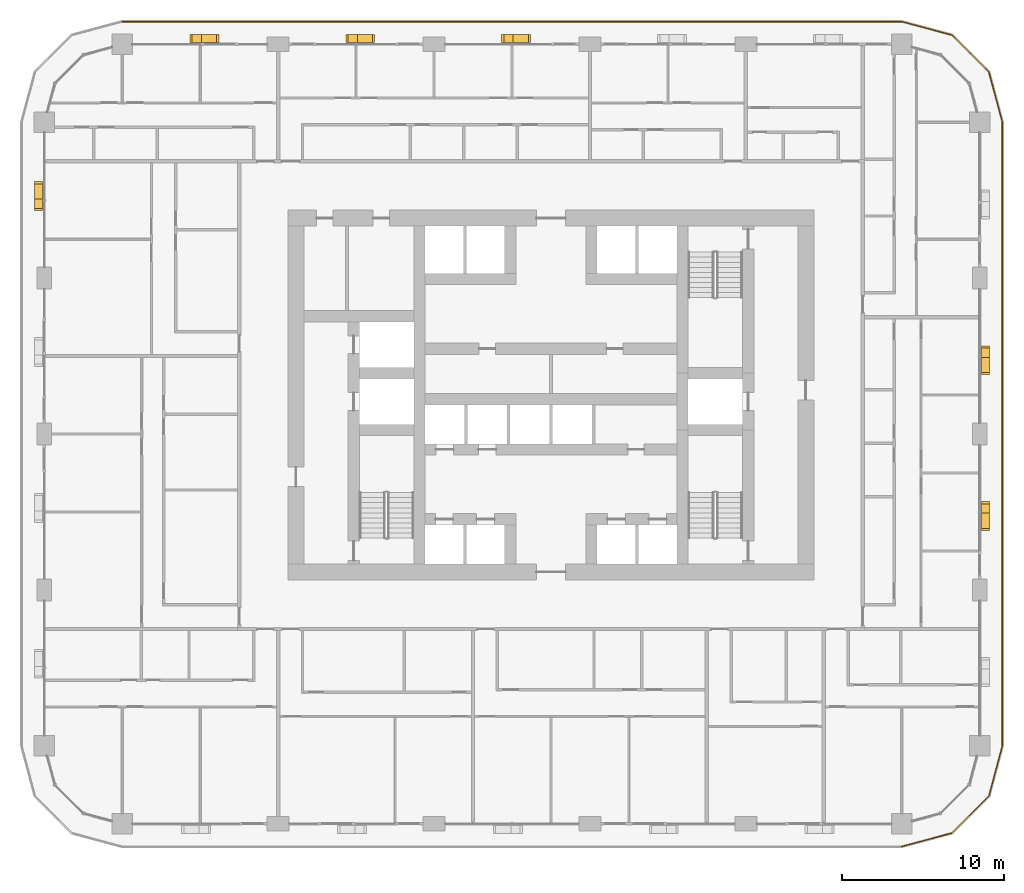
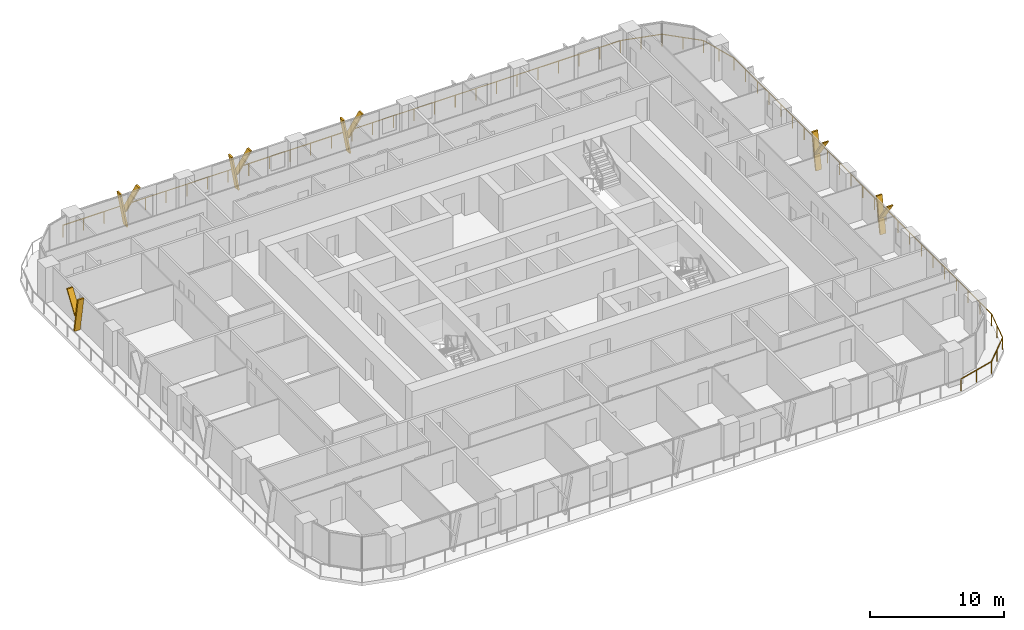
# One storey, part 20 of 21: 12 shading devices, 1 railing.
"""IFC4 building model written with IfcOpenShell, lengths in metres."""

from ifc_helpers import new_model, si_unit, direction, frame, origin, origin_2d, place, context, subcontext, project, spatial, polyline, circle, outline, extrude, material, type_object, element, save


model = new_model("IFC4")

# Units and contexts
model_context = context("Model", 3, precision=1e-05, world=origin(), true_north=direction((0.0, 1.0)))
body_context = subcontext(model_context, "Body", "Model", "MODEL_VIEW")
ifc_project = project(units=[si_unit("LENGTHUNIT", "METRE"), si_unit("AREAUNIT", "SQUARE_METRE"), si_unit("VOLUMEUNIT", "CUBIC_METRE"), si_unit("PLANEANGLEUNIT", "RADIAN"), si_unit("MASSUNIT", "GRAM", prefix="KILO")], contexts=[model_context])

# Site, building, storey
site_placement = place(None, origin())
site = spatial("IfcSite", under=ifc_project, at=site_placement, CompositionType="ELEMENT")
building_placement = place(site_placement, origin())
building = spatial("IfcBuilding", under=site, at=building_placement, Name="Madar Terraces", CompositionType="ELEMENT")
storey_placement = place(building_placement, frame((0.0, 0.0, 29.39990234375)))
storey = spatial("IfcBuildingStorey", under=building, at=storey_placement, Name="L06", CompositionType="ELEMENT", Elevation=29.39990234375)

# Railing
ifc_material_1 = material(Name="Glass, safety glazing, with stainless steel posts", Category="steel")
railing_type = type_object("IfcRailingType", Name="Balcony glass guard 1100", PredefinedType="GUARDRAIL", material=ifc_material_1)
railing_placement = place(storey_placement, frame((52.800048828125, -1.39990234375, 0.0)))
element("IfcRailing", 1, at=railing_placement, inside=storey, type_object=railing_type, Name="Balcony guard", PredefinedType="GUARDRAIL", context=body_context, shape_type="SweptSolid", body=[
    extrude(circle(Radius=0.02392578125, at=origin_2d()), frame((0.0, 0.0, 1.076171875), z_axis=(0.965928696102, 0.258808334578, 0.0), x_axis=(-0.258808334578, 0.965928696102, 0.0)), (0.0, 0.0, 1.0), 3.209228515625),
    extrude(circle(Radius=0.02392578125, at=origin_2d()), frame((3.099853515625, 0.83056640625, 1.076171875), z_axis=(0.707144815061, 0.707068745266, 0.0), x_axis=(-0.707068745266, 0.707144815061, 0.0)), (0.0, 0.0, 1.0), 3.20947265625),
    extrude(circle(Radius=0.02392578125, at=origin_2d()), frame((5.369384765625, 3.099853515625, 1.076171875), z_axis=(0.258789317819, 0.9659337912, 0.0), x_axis=(-0.9659337912, 0.258789317819, 0.0)), (0.0, 0.0, 1.0), 3.20947265625),
    extrude(circle(Radius=0.02392578125, at=origin_2d()), frame((6.199951171875, 6.199951171875, 1.076171875), z_axis=(0.0, 1.0, 0.0), x_axis=(-1.0, 0.0, 0.0)), (0.0, 0.0, 1.0), 38.39990234375),
    extrude(circle(Radius=0.02392578125, at=origin_2d()), frame((6.199951171875, 44.599853515625, 1.076171875), z_axis=(-0.258789317819, 0.9659337912, 0.0), x_axis=(-0.9659337912, -0.258789317819, 0.0)), (0.0, 0.0, 1.0), 3.20947265625),
    extrude(circle(Radius=0.02392578125, at=origin_2d()), frame((5.369384765625, 47.699951171875, 1.076171875), z_axis=(-0.707144815061, 0.707068745266, 0.0), x_axis=(-0.707068745266, -0.707144815061, 0.0)), (0.0, 0.0, 1.0), 3.20947265625),
    extrude(circle(Radius=0.02392578125, at=origin_2d()), frame((3.099853515625, 49.96923828125, 1.076171875), z_axis=(-0.965928696102, 0.258808334578, 0.0), x_axis=(-0.258808334578, -0.965928696102, 0.0)), (0.0, 0.0, 1.0), 3.209228515625),
    extrude(circle(Radius=0.02392578125, at=origin_2d()), frame((0.0, 50.7998046875, 1.076171875), z_axis=(-1.0, 0.0, 0.0), x_axis=(0.0, -1.0, 0.0)), (0.0, 0.0, 1.0), 48.0),
    extrude(circle(Radius=0.02099609375, at=origin_2d()), origin(), (0.0, 0.0, 1.0), 1.052001953125),
    extrude(circle(Radius=0.02099609375, at=origin_2d()), frame((1.5498046875, 0.415283203125, 0.0)), (0.0, 0.0, 1.0), 1.052001953125),
    extrude(circle(Radius=0.02099609375, at=origin_2d()), frame((3.099853515625, 0.83056640625, 0.0)), (0.0, 0.0, 1.0), 1.052001953125),
    extrude(circle(Radius=0.02099609375, at=origin_2d()), frame((4.234619140625, 1.96533203125, 0.0)), (0.0, 0.0, 1.0), 1.052001953125),
    extrude(circle(Radius=0.02099609375, at=origin_2d()), frame((5.369384765625, 3.099853515625, 0.0)), (0.0, 0.0, 1.0), 1.052001953125),
    extrude(circle(Radius=0.02099609375, at=origin_2d()), frame((5.78466796875, 4.64990234375, 0.0)), (0.0, 0.0, 1.0), 1.052001953125),
    extrude(circle(Radius=0.02099609375, at=origin_2d()), frame((6.199951171875, 6.199951171875, 0.0)), (0.0, 0.0, 1.0), 1.052001953125),
    extrude(circle(Radius=0.02099609375, at=origin_2d()), frame((6.199951171875, 7.9453125, 0.0)), (0.0, 0.0, 1.0), 1.052001953125),
    extrude(circle(Radius=0.02099609375, at=origin_2d()), frame((6.199951171875, 9.69091796875, 0.0)), (0.0, 0.0, 1.0), 1.052001953125),
    extrude(circle(Radius=0.02099609375, at=origin_2d()), frame((6.199951171875, 11.436279296875, 0.0)), (0.0, 0.0, 1.0), 1.052001953125),
    extrude(circle(Radius=0.02099609375, at=origin_2d()), frame((6.199951171875, 13.181640625, 0.0)), (0.0, 0.0, 1.0), 1.052001953125),
    extrude(circle(Radius=0.02099609375, at=origin_2d()), frame((6.199951171875, 14.92724609375, 0.0)), (0.0, 0.0, 1.0), 1.052001953125),
    extrude(circle(Radius=0.02099609375, at=origin_2d()), frame((6.199951171875, 16.672607421875, 0.0)), (0.0, 0.0, 1.0), 1.052001953125),
    extrude(circle(Radius=0.02099609375, at=origin_2d()), frame((6.199951171875, 18.418212890625, 0.0)), (0.0, 0.0, 1.0), 1.052001953125),
    extrude(circle(Radius=0.02099609375, at=origin_2d()), frame((6.199951171875, 20.16357421875, 0.0)), (0.0, 0.0, 1.0), 1.052001953125),
    extrude(circle(Radius=0.02099609375, at=origin_2d()), frame((6.199951171875, 21.908935546875, 0.0)), (0.0, 0.0, 1.0), 1.052001953125),
    extrude(circle(Radius=0.02099609375, at=origin_2d()), frame((6.199951171875, 23.654541015625, 0.0)), (0.0, 0.0, 1.0), 1.052001953125),
    extrude(circle(Radius=0.02099609375, at=origin_2d()), frame((6.199951171875, 25.39990234375, 0.0)), (0.0, 0.0, 1.0), 1.052001953125),
    extrude(circle(Radius=0.02099609375, at=origin_2d()), frame((6.199951171875, 27.145263671875, 0.0)), (0.0, 0.0, 1.0), 1.052001953125),
    extrude(circle(Radius=0.02099609375, at=origin_2d()), frame((6.199951171875, 28.890869140625, 0.0)), (0.0, 0.0, 1.0), 1.052001953125),
    extrude(circle(Radius=0.02099609375, at=origin_2d()), frame((6.199951171875, 30.63623046875, 0.0)), (0.0, 0.0, 1.0), 1.052001953125),
    extrude(circle(Radius=0.02099609375, at=origin_2d()), frame((6.199951171875, 32.381591796875, 0.0)), (0.0, 0.0, 1.0), 1.052001953125),
    extrude(circle(Radius=0.02099609375, at=origin_2d()), frame((6.199951171875, 34.127197265625, 0.0)), (0.0, 0.0, 1.0), 1.052001953125),
    extrude(circle(Radius=0.02099609375, at=origin_2d()), frame((6.199951171875, 35.87255859375, 0.0)), (0.0, 0.0, 1.0), 1.052001953125),
    extrude(circle(Radius=0.02099609375, at=origin_2d()), frame((6.199951171875, 37.6181640625, 0.0)), (0.0, 0.0, 1.0), 1.052001953125),
    extrude(circle(Radius=0.02099609375, at=origin_2d()), frame((6.199951171875, 39.363525390625, 0.0)), (0.0, 0.0, 1.0), 1.052001953125),
    extrude(circle(Radius=0.02099609375, at=origin_2d()), frame((6.199951171875, 41.10888671875, 0.0)), (0.0, 0.0, 1.0), 1.052001953125),
    extrude(circle(Radius=0.02099609375, at=origin_2d()), frame((6.199951171875, 42.8544921875, 0.0)), (0.0, 0.0, 1.0), 1.052001953125),
    extrude(circle(Radius=0.02099609375, at=origin_2d()), frame((6.199951171875, 44.599853515625, 0.0)), (0.0, 0.0, 1.0), 1.052001953125),
    extrude(circle(Radius=0.02099609375, at=origin_2d()), frame((5.78466796875, 46.14990234375, 0.0)), (0.0, 0.0, 1.0), 1.052001953125),
    extrude(circle(Radius=0.02099609375, at=origin_2d()), frame((5.369384765625, 47.699951171875, 0.0)), (0.0, 0.0, 1.0), 1.052001953125),
    extrude(circle(Radius=0.02099609375, at=origin_2d()), frame((4.234619140625, 48.83447265625, 0.0)), (0.0, 0.0, 1.0), 1.052001953125),
    extrude(circle(Radius=0.02099609375, at=origin_2d()), frame((3.099853515625, 49.96923828125, 0.0)), (0.0, 0.0, 1.0), 1.052001953125),
    extrude(circle(Radius=0.02099609375, at=origin_2d()), frame((1.5498046875, 50.384521484375, 0.0)), (0.0, 0.0, 1.0), 1.052001953125),
    extrude(circle(Radius=0.02099609375, at=origin_2d()), frame((0.0, 50.7998046875, 0.0)), (0.0, 0.0, 1.0), 1.052001953125),
    extrude(circle(Radius=0.02099609375, at=origin_2d()), frame((-1.77783203125, 50.7998046875, 0.0)), (0.0, 0.0, 1.0), 1.052001953125),
    extrude(circle(Radius=0.02099609375, at=origin_2d()), frame((-3.5556640625, 50.7998046875, 0.0)), (0.0, 0.0, 1.0), 1.052001953125),
    extrude(circle(Radius=0.02099609375, at=origin_2d()), frame((-5.333251953125, 50.7998046875, 0.0)), (0.0, 0.0, 1.0), 1.052001953125),
    extrude(circle(Radius=0.02099609375, at=origin_2d()), frame((-7.111083984375, 50.7998046875, 0.0)), (0.0, 0.0, 1.0), 1.052001953125),
    extrude(circle(Radius=0.02099609375, at=origin_2d()), frame((-8.888916015625, 50.7998046875, 0.0)), (0.0, 0.0, 1.0), 1.052001953125),
    extrude(circle(Radius=0.02099609375, at=origin_2d()), frame((-10.666748046875, 50.7998046875, 0.0)), (0.0, 0.0, 1.0), 1.052001953125),
    extrude(circle(Radius=0.02099609375, at=origin_2d()), frame((-12.4443359375, 50.7998046875, 0.0)), (0.0, 0.0, 1.0), 1.052001953125),
    extrude(circle(Radius=0.02099609375, at=origin_2d()), frame((-14.22216796875, 50.7998046875, 0.0)), (0.0, 0.0, 1.0), 1.052001953125),
    extrude(circle(Radius=0.02099609375, at=origin_2d()), frame((-16.0, 50.7998046875, 0.0)), (0.0, 0.0, 1.0), 1.052001953125),
    extrude(circle(Radius=0.02099609375, at=origin_2d()), frame((-17.77783203125, 50.7998046875, 0.0)), (0.0, 0.0, 1.0), 1.052001953125),
    extrude(circle(Radius=0.02099609375, at=origin_2d()), frame((-19.5556640625, 50.7998046875, 0.0)), (0.0, 0.0, 1.0), 1.052001953125),
    extrude(circle(Radius=0.02099609375, at=origin_2d()), frame((-21.333251953125, 50.7998046875, 0.0)), (0.0, 0.0, 1.0), 1.052001953125),
    extrude(circle(Radius=0.02099609375, at=origin_2d()), frame((-23.111083984375, 50.7998046875, 0.0)), (0.0, 0.0, 1.0), 1.052001953125),
    extrude(circle(Radius=0.02099609375, at=origin_2d()), frame((-24.888916015625, 50.7998046875, 0.0)), (0.0, 0.0, 1.0), 1.052001953125),
    extrude(circle(Radius=0.02099609375, at=origin_2d()), frame((-26.666748046875, 50.7998046875, 0.0)), (0.0, 0.0, 1.0), 1.052001953125),
    extrude(circle(Radius=0.02099609375, at=origin_2d()), frame((-28.4443359375, 50.7998046875, 0.0)), (0.0, 0.0, 1.0), 1.052001953125),
    extrude(circle(Radius=0.02099609375, at=origin_2d()), frame((-30.22216796875, 50.7998046875, 0.0)), (0.0, 0.0, 1.0), 1.052001953125),
    extrude(circle(Radius=0.02099609375, at=origin_2d()), frame((-32.0, 50.7998046875, 0.0)), (0.0, 0.0, 1.0), 1.052001953125),
    extrude(circle(Radius=0.02099609375, at=origin_2d()), frame((-33.77783203125, 50.7998046875, 0.0)), (0.0, 0.0, 1.0), 1.052001953125),
    extrude(circle(Radius=0.02099609375, at=origin_2d()), frame((-35.5556640625, 50.7998046875, 0.0)), (0.0, 0.0, 1.0), 1.052001953125),
    extrude(circle(Radius=0.02099609375, at=origin_2d()), frame((-37.333251953125, 50.7998046875, 0.0)), (0.0, 0.0, 1.0), 1.052001953125),
    extrude(circle(Radius=0.02099609375, at=origin_2d()), frame((-39.111083984375, 50.7998046875, 0.0)), (0.0, 0.0, 1.0), 1.052001953125),
    extrude(circle(Radius=0.02099609375, at=origin_2d()), frame((-40.888916015625, 50.7998046875, 0.0)), (0.0, 0.0, 1.0), 1.052001953125),
    extrude(circle(Radius=0.02099609375, at=origin_2d()), frame((-42.666748046875, 50.7998046875, 0.0)), (0.0, 0.0, 1.0), 1.052001953125),
    extrude(circle(Radius=0.02099609375, at=origin_2d()), frame((-44.4443359375, 50.7998046875, 0.0)), (0.0, 0.0, 1.0), 1.052001953125),
    extrude(circle(Radius=0.02099609375, at=origin_2d()), frame((-46.22216796875, 50.7998046875, 0.0)), (0.0, 0.0, 1.0), 1.052001953125),
    extrude(circle(Radius=0.02099609375, at=origin_2d()), frame((-48.0, 50.7998046875, 0.0)), (0.0, 0.0, 1.0), 1.052001953125),
])

# Shading devices
ifc_material_2 = material(Name="Aluminium, black anodised", Category="aluminium")
shading_device_type = type_object("IfcShadingDeviceType", Name="Facade fin blade 140 x 500", PredefinedType="USERDEFINED", material=ifc_material_2)
shading_device_1_placement = place(storey_placement, frame((57.949951171875, 19.1298828125, 0.0), z_axis=(0.0, 0.0, 1.0), x_axis=(0.0, 1.0, 0.0)))
element("IfcShadingDevice", 2, at=shading_device_1_placement, inside=storey, type_object=shading_device_type, Name="FIN L06 E2", ObjectType="FIN", PredefinedType="USERDEFINED", context=body_context, shape_type="SweptSolid", body=[
    extrude(outline(polyline([(0.0, 0.0), (0.14013671875, 0.0), (0.704345703125, 3.2001953125), (0.564208984375, 3.2001953125), (0.0, 0.0)])), frame((0.0, 0.25, 0.0), z_axis=(0.0, -1.0, 0.0), x_axis=(1.0, 0.0, 0.0)), (0.0, 0.0, 1.0), 0.5),
])
shading_device_2_placement = place(storey_placement, frame((57.949951171875, 19.243896484375, 1.440185546875), z_axis=(0.0, 0.0, 1.0), x_axis=(0.0, 1.0, 0.0)))
element("IfcShadingDevice", 3, at=shading_device_2_placement, inside=storey, type_object=shading_device_type, Name="FIN L06 E2 branch", ObjectType="FIN", PredefinedType="USERDEFINED", context=body_context, shape_type="SweptSolid", body=[
    extrude(outline(polyline([(0.0, 0.0), (0.139892578125, 0.0), (-1.049560546875, 1.760009765625), (-1.189697265625, 1.760009765625), (0.0, 0.0)])), frame((0.0, 0.25, 0.0), z_axis=(0.0, -1.0, 0.0), x_axis=(1.0, 0.0, 0.0)), (0.0, 0.0, 1.0), 0.5),
])
shading_device_3_placement = place(storey_placement, frame((57.949951171875, 28.72998046875, 0.0), z_axis=(0.0, 0.0, 1.0), x_axis=(0.0, 1.0, 0.0)))
element("IfcShadingDevice", 4, at=shading_device_3_placement, inside=storey, type_object=shading_device_type, Name="FIN L06 E3", ObjectType="FIN", PredefinedType="USERDEFINED", context=body_context, shape_type="SweptSolid", body=[
    extrude(outline(polyline([(0.0, 0.0), (0.14013671875, 0.0), (0.704345703125, 3.2001953125), (0.564208984375, 3.2001953125), (0.0, 0.0)])), frame((0.0, 0.25, 0.0), z_axis=(0.0, -1.0, 0.0), x_axis=(1.0, 0.0, 0.0)), (0.0, 0.0, 1.0), 0.5),
])
shading_device_4_placement = place(storey_placement, frame((57.949951171875, 28.843994140625, 1.440185546875), z_axis=(0.0, 0.0, 1.0), x_axis=(0.0, 1.0, 0.0)))
element("IfcShadingDevice", 5, at=shading_device_4_placement, inside=storey, type_object=shading_device_type, Name="FIN L06 E3 branch", ObjectType="FIN", PredefinedType="USERDEFINED", context=body_context, shape_type="SweptSolid", body=[
    extrude(outline(polyline([(0.0, 0.0), (0.139892578125, 0.0), (-1.049560546875, 1.760009765625), (-1.189697265625, 1.760009765625), (0.0, 0.0)])), frame((0.0, 0.25, 0.0), z_axis=(0.0, -1.0, 0.0), x_axis=(1.0, 0.0, 0.0)), (0.0, 0.0, 1.0), 0.5),
])
shading_device_5_placement = place(storey_placement, frame((28.8701171875, 48.35009765625, 0.0), z_axis=(0.0, 0.0, 1.0), x_axis=(-1.0, 0.0, 0.0)))
element("IfcShadingDevice", 6, at=shading_device_5_placement, inside=storey, type_object=shading_device_type, Name="FIN L06 N3", ObjectType="FIN", PredefinedType="USERDEFINED", context=body_context, shape_type="SweptSolid", body=[
    extrude(outline(polyline([(0.0, 0.0), (0.14013671875, 0.0), (0.704345703125, 3.2001953125), (0.564208984375, 3.2001953125), (0.0, 0.0)])), frame((0.0, 0.25, 0.0), z_axis=(0.0, -1.0, 0.0), x_axis=(1.0, 0.0, 0.0)), (0.0, 0.0, 1.0), 0.5),
])
shading_device_6_placement = place(storey_placement, frame((28.756103515625, 48.35009765625, 1.440185546875), z_axis=(0.0, 0.0, 1.0), x_axis=(-1.0, 0.0, 0.0)))
element("IfcShadingDevice", 7, at=shading_device_6_placement, inside=storey, type_object=shading_device_type, Name="FIN L06 N3 branch", ObjectType="FIN", PredefinedType="USERDEFINED", context=body_context, shape_type="SweptSolid", body=[
    extrude(outline(polyline([(0.0, 0.0), (0.139892578125, 0.0), (-1.049560546875, 1.760009765625), (-1.189697265625, 1.760009765625), (0.0, 0.0)])), frame((0.0, 0.25, 0.0), z_axis=(0.0, -1.0, 0.0), x_axis=(1.0, 0.0, 0.0)), (0.0, 0.0, 1.0), 0.5),
])
shading_device_7_placement = place(storey_placement, frame((19.27001953125, 48.35009765625, 0.0), z_axis=(0.0, 0.0, 1.0), x_axis=(-1.0, 0.0, 0.0)))
element("IfcShadingDevice", 8, at=shading_device_7_placement, inside=storey, type_object=shading_device_type, Name="FIN L06 N4", ObjectType="FIN", PredefinedType="USERDEFINED", context=body_context, shape_type="SweptSolid", body=[
    extrude(outline(polyline([(0.0, 0.0), (0.14013671875, 0.0), (0.704345703125, 3.2001953125), (0.564208984375, 3.2001953125), (0.0, 0.0)])), frame((0.0, 0.25, 0.0), z_axis=(0.0, -1.0, 0.0), x_axis=(1.0, 0.0, 0.0)), (0.0, 0.0, 1.0), 0.5),
])
shading_device_8_placement = place(storey_placement, frame((19.156005859375, 48.35009765625, 1.440185546875), z_axis=(0.0, 0.0, 1.0), x_axis=(-1.0, 0.0, 0.0)))
element("IfcShadingDevice", 9, at=shading_device_8_placement, inside=storey, type_object=shading_device_type, Name="FIN L06 N4 branch", ObjectType="FIN", PredefinedType="USERDEFINED", context=body_context, shape_type="SweptSolid", body=[
    extrude(outline(polyline([(0.0, 0.0), (0.139892578125, 0.0), (-1.049560546875, 1.760009765625), (-1.189697265625, 1.760009765625), (0.0, 0.0)])), frame((0.0, 0.25, 0.0), z_axis=(0.0, -1.0, 0.0), x_axis=(1.0, 0.0, 0.0)), (0.0, 0.0, 1.0), 0.5),
])
shading_device_9_placement = place(storey_placement, frame((9.669921875, 48.35009765625, 0.0), z_axis=(0.0, 0.0, 1.0), x_axis=(-1.0, 0.0, 0.0)))
element("IfcShadingDevice", 10, at=shading_device_9_placement, inside=storey, type_object=shading_device_type, Name="FIN L06 N5", ObjectType="FIN", PredefinedType="USERDEFINED", context=body_context, shape_type="SweptSolid", body=[
    extrude(outline(polyline([(0.0, 0.0), (0.139892578125, 0.0), (0.704345703125, 3.2001953125), (0.564208984375, 3.2001953125), (0.0, 0.0)])), frame((0.0, 0.25, 0.0), z_axis=(0.0, -1.0, 0.0), x_axis=(1.0, 0.0, 0.0)), (0.0, 0.0, 1.0), 0.5),
])
shading_device_10_placement = place(storey_placement, frame((9.55615234375, 48.35009765625, 1.440185546875), z_axis=(0.0, 0.0, 1.0), x_axis=(-1.0, 0.0, 0.0)))
element("IfcShadingDevice", 11, at=shading_device_10_placement, inside=storey, type_object=shading_device_type, Name="FIN L06 N5 branch", ObjectType="FIN", PredefinedType="USERDEFINED", context=body_context, shape_type="SweptSolid", body=[
    extrude(outline(polyline([(0.0, 0.0), (0.14013671875, 0.0), (-1.049560546875, 1.760009765625), (-1.189697265625, 1.760009765625), (0.0, 0.0)])), frame((0.0, 0.25, 0.0), z_axis=(0.0, -1.0, 0.0), x_axis=(1.0, 0.0, 0.0)), (0.0, 0.0, 1.0), 0.5),
])
shading_device_11_placement = place(storey_placement, frame((-0.35009765625, 38.469970703125, 0.0), z_axis=(0.0, 0.0, 1.0), x_axis=(0.0, -1.0, 0.0)))
element("IfcShadingDevice", 12, at=shading_device_11_placement, inside=storey, type_object=shading_device_type, Name="FIN L06 W1", ObjectType="FIN", PredefinedType="USERDEFINED", context=body_context, shape_type="SweptSolid", body=[
    extrude(outline(polyline([(0.0, 0.0), (0.139892578125, 0.0), (0.704345703125, 3.2001953125), (0.564208984375, 3.2001953125), (0.0, 0.0)])), frame((0.0, 0.25, 0.0), z_axis=(0.0, -1.0, 0.0), x_axis=(1.0, 0.0, 0.0)), (0.0, 0.0, 1.0), 0.5),
])
shading_device_12_placement = place(storey_placement, frame((-0.35009765625, 38.356201171875, 1.440185546875), z_axis=(0.0, 0.0, 1.0), x_axis=(0.0, -1.0, 0.0)))
element("IfcShadingDevice", 13, at=shading_device_12_placement, inside=storey, type_object=shading_device_type, Name="FIN L06 W1 branch", ObjectType="FIN", PredefinedType="USERDEFINED", context=body_context, shape_type="SweptSolid", body=[
    extrude(outline(polyline([(0.0, 0.0), (0.14013671875, 0.0), (-1.049560546875, 1.760009765625), (-1.189697265625, 1.760009765625), (0.0, 0.0)])), frame((0.0, 0.25, 0.0), z_axis=(0.0, -1.0, 0.0), x_axis=(1.0, 0.0, 0.0)), (0.0, 0.0, 1.0), 0.5),
])

save(model, "model.ifc")
